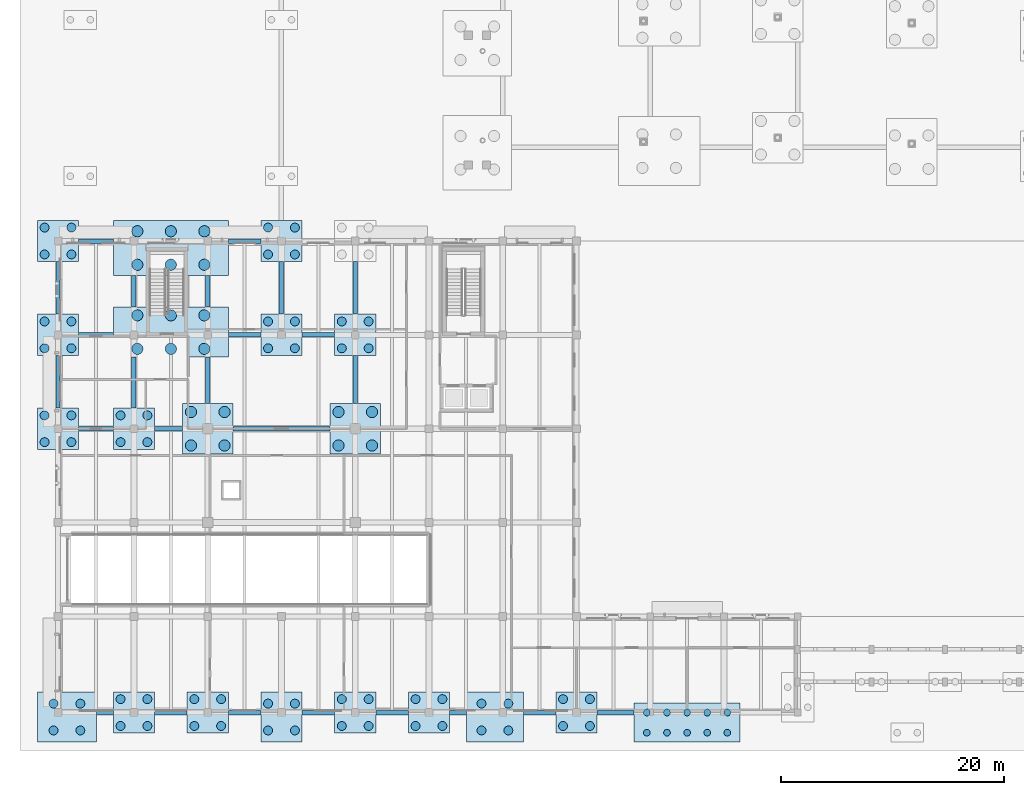
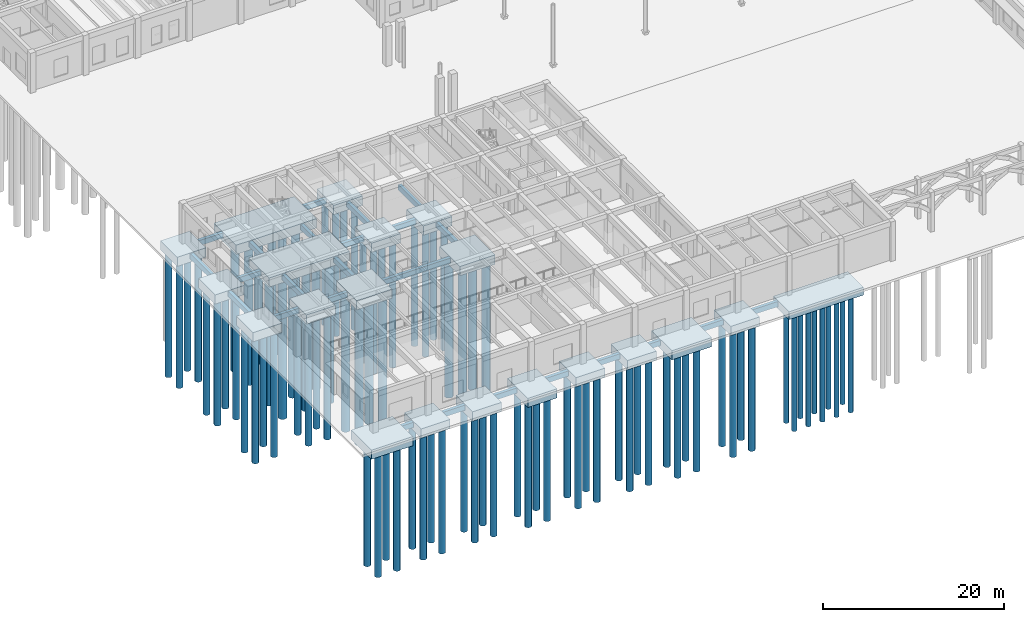
# One storey, part 1 of 82: 90 piles, 45 footings.
"""IFC4 building model written with IfcOpenShell, lengths in metres."""

from ifc_helpers import new_model, si_unit, direction, frame, origin, origin_2d, place, context, subcontext, project, spatial, rectangle, circle, extrude, material, material_profile, profile_set, type_object, element, save


model = new_model("IFC4")

# Units and contexts
model_context = context("Model", 3, precision=1e-05, world=origin(), true_north=direction((0.0, 1.0)))
body_context = subcontext(model_context, "Body", "Model", "MODEL_VIEW")
ifc_project = project(units=[si_unit("LENGTHUNIT", "METRE"), si_unit("AREAUNIT", "SQUARE_METRE"), si_unit("VOLUMEUNIT", "CUBIC_METRE"), si_unit("PLANEANGLEUNIT", "RADIAN"), si_unit("MASSUNIT", "GRAM", prefix="KILO")], contexts=[model_context])

# Site, building, storey
site_placement = place(None, origin())
site = spatial("IfcSite", under=ifc_project, at=site_placement, CompositionType="ELEMENT")
building_placement = place(site_placement, origin())
building = spatial("IfcBuilding", under=site, at=building_placement, Name="Kolvaren Faculty of Natural Sciences", CompositionType="ELEMENT")
storey_placement = place(building_placement, origin())
storey = spatial("IfcBuildingStorey", under=building, at=storey_placement, Name="L00", CompositionType="ELEMENT", Elevation=0.0)

# Piles
ifc_material = material(Name="Concrete C35/45", Category="concrete")
ifc_material_profile_1 = material_profile(ifc_material, circle(Radius=0.5, at=origin_2d()), Name="PILE D1000")
ifc_profile_set_1 = profile_set([ifc_material_profile_1], Name="Concrete C35/45")
pile_type_1 = type_object("IfcPileType", Name="BoredPile_1000", PredefinedType="BORED", material=ifc_profile_set_1)
for number, where, z_axis, x_axis, name in (
    (1, (7.10009765625, 32.550048828125, -1.469970703125), (0.0, 0.0, -1.0), (1.0, 0.0, 0.0), "Rock-socketed bored pile BP-1000 under CAP-095"),
    (2, (7.10009765625, 35.550048828125, -1.469970703125), (0.0, 0.0, -1.0), (1.0, 0.0, 0.0), "Rock-socketed bored pile BP-1000 under CAP-095"),
    (3, (10.10009765625, 32.550048828125, -1.469970703125), (0.0, 0.0, -1.0), (1.0, 0.0, 0.0), "Rock-socketed bored pile BP-1000 under CAP-095"),
    (4, (10.10009765625, 35.550048828125, -1.469970703125), (0.0, 0.0, -1.0), (1.0, 0.0, 0.0), "Rock-socketed bored pile BP-1000 under CAP-095"),
    (5, (13.10009765625, 32.550048828125, -1.469970703125), (0.0, 0.0, -1.0), (1.0, 0.0, 0.0), "Rock-socketed bored pile BP-1000 under CAP-095"),
    (6, (13.10009765625, 35.550048828125, -1.469970703125), (0.0, 0.0, -1.0), (1.0, 0.0, 0.0), "Rock-socketed bored pile BP-1000 under CAP-095"),
    (7, (7.10009765625, 40.074951171875, -1.469970703125), (0.0, 0.0, -1.0), (1.0, 0.0, 0.0), "Rock-socketed bored pile BP-1000 under CAP-096"),
    (8, (7.10009765625, 43.074951171875, -1.469970703125), (0.0, 0.0, -1.0), (1.0, 0.0, 0.0), "Rock-socketed bored pile BP-1000 under CAP-096"),
    (9, (10.10009765625, 40.074951171875, -1.469970703125), (0.0, 0.0, -1.0), (1.0, 0.0, 0.0), "Rock-socketed bored pile BP-1000 under CAP-096"),
    (10, (10.10009765625, 43.074951171875, -1.469970703125), (0.0, 0.0, -1.0), (1.0, 0.0, 0.0), "Rock-socketed bored pile BP-1000 under CAP-096"),
    (11, (13.10009765625, 40.074951171875, -1.469970703125), (0.0, 0.0, -1.0), (1.0, 0.0, 0.0), "Rock-socketed bored pile BP-1000 under CAP-096"),
    (12, (13.10009765625, 43.074951171875, -1.469970703125), (0.0, 0.0, -1.0), (1.0, 0.0, 0.0), "Rock-socketed bored pile BP-1000 under CAP-096"),
    (13, (11.89990234375, 23.89990234375, -1.469970703125), (0.0, 0.0, -1.0), (1.0, 0.0, 0.0), "Rock-socketed bored pile BP-1000 under CAP-101"),
    (14, (11.89990234375, 26.89990234375, -1.469970703125), (0.0, 0.0, -1.0), (1.0, 0.0, 0.0), "Rock-socketed bored pile BP-1000 under CAP-101"),
    (15, (14.89990234375, 23.89990234375, -1.469970703125), (0.0, 0.0, -1.0), (1.0, 0.0, 0.0), "Rock-socketed bored pile BP-1000 under CAP-101"),
    (16, (14.89990234375, 26.89990234375, -1.469970703125), (0.0, 0.0, -1.0), (1.0, 0.0, 0.0), "Rock-socketed bored pile BP-1000 under CAP-101"),
    (17, (25.10009765625, 23.89990234375, -1.469970703125), (0.0, 0.0, -1.0), (1.0, 0.0, 0.0), "Rock-socketed bored pile BP-1000 under CAP-114"),
    (18, (25.10009765625, 26.89990234375, -1.469970703125), (0.0, 0.0, -1.0), (1.0, 0.0, 0.0), "Rock-socketed bored pile BP-1000 under CAP-114"),
    (19, (28.10009765625, 23.89990234375, -1.469970703125), (0.0, 0.0, -1.0), (1.0, 0.0, 0.0), "Rock-socketed bored pile BP-1000 under CAP-114"),
    (20, (28.10009765625, 26.89990234375, -1.469970703125), (0.0, 0.0, -1.0), (1.0, 0.0, 0.0), "Rock-socketed bored pile BP-1000 under CAP-114"),
):
    element("IfcPile", number, at=place(storey_placement, frame(where, z_axis=z_axis, x_axis=x_axis)), inside=storey, type_object=pile_type_1, Name=name, PredefinedType="BORED", context=body_context, shape_type="SweptSolid", body=[
        extrude(circle(Radius=0.5, at=origin_2d()), origin(), (0.0, 0.0, 1.0), 18.830078125),
    ])
ifc_material_profile_2 = material_profile(ifc_material, circle(Radius=0.300048828125, at=origin_2d()), Name="PILE D600")
ifc_profile_set_2 = profile_set([ifc_material_profile_2], Name="Concrete C35/45")
pile_type_2 = type_object("IfcPileType", Name="BoredPile_600", PredefinedType="BORED", material=ifc_profile_set_2)
for number, where, z_axis, x_axis, name in (
    (21, (52.699951171875, -1.800048828125, -1.27001953125), (0.0, 0.0, -1.0), (1.0, 0.0, 0.0), "Rock-socketed bored pile BP-600 under CAP-147"),
    (22, (52.699951171875, 0.0, -1.27001953125), (0.0, 0.0, -1.0), (1.0, 0.0, 0.0), "Rock-socketed bored pile BP-600 under CAP-147"),
    (23, (54.5, -1.800048828125, -1.27001953125), (0.0, 0.0, -1.0), (1.0, 0.0, 0.0), "Rock-socketed bored pile BP-600 under CAP-147"),
    (24, (54.5, 0.0, -1.27001953125), (0.0, 0.0, -1.0), (1.0, 0.0, 0.0), "Rock-socketed bored pile BP-600 under CAP-147"),
    (25, (56.300048828125, -1.800048828125, -1.27001953125), (0.0, 0.0, -1.0), (1.0, 0.0, 0.0), "Rock-socketed bored pile BP-600 under CAP-147"),
    (26, (56.300048828125, 0.0, -1.27001953125), (0.0, 0.0, -1.0), (1.0, 0.0, 0.0), "Rock-socketed bored pile BP-600 under CAP-147"),
    (27, (58.10009765625, -1.800048828125, -1.27001953125), (0.0, 0.0, -1.0), (1.0, 0.0, 0.0), "Rock-socketed bored pile BP-600 under CAP-147"),
    (28, (58.10009765625, 0.0, -1.27001953125), (0.0, 0.0, -1.0), (1.0, 0.0, 0.0), "Rock-socketed bored pile BP-600 under CAP-147"),
    (29, (59.89990234375, -1.800048828125, -1.27001953125), (0.0, 0.0, -1.0), (1.0, 0.0, 0.0), "Rock-socketed bored pile BP-600 under CAP-147"),
    (30, (59.89990234375, 0.0, -1.27001953125), (0.0, 0.0, -1.0), (1.0, 0.0, 0.0), "Rock-socketed bored pile BP-600 under CAP-147"),
):
    element("IfcPile", number, at=place(storey_placement, frame(where, z_axis=z_axis, x_axis=x_axis)), inside=storey, type_object=pile_type_2, Name=name, PredefinedType="BORED", context=body_context, shape_type="SweptSolid", body=[
        extrude(circle(Radius=0.300048828125, at=origin_2d()), origin(), (0.0, 0.0, 1.0), 15.929931640625),
    ])
ifc_material_profile_3 = material_profile(ifc_material, circle(Radius=0.39990234375, at=origin_2d()), Name="PILE D800")
ifc_profile_set_3 = profile_set([ifc_material_profile_3], Name="Concrete C35/45")
pile_type_3 = type_object("IfcPileType", Name="BoredPile_800", PredefinedType="BORED", material=ifc_profile_set_3)
for number, where, z_axis, x_axis, name in (
    (31, (-0.39990234375, -1.60009765625, -1.469970703125), (0.0, 0.0, -1.0), (1.0, 0.0, 0.0), "Rock-socketed bored pile BP-800 under CAP-081"),
    (32, (-0.39990234375, 0.800048828125, -1.469970703125), (0.0, 0.0, -1.0), (1.0, 0.0, 0.0), "Rock-socketed bored pile BP-800 under CAP-081"),
    (33, (2.0, -1.60009765625, -1.469970703125), (0.0, 0.0, -1.0), (1.0, 0.0, 0.0), "Rock-socketed bored pile BP-800 under CAP-081"),
    (34, (2.0, 0.800048828125, -1.469970703125), (0.0, 0.0, -1.0), (1.0, 0.0, 0.0), "Rock-socketed bored pile BP-800 under CAP-081"),
    (35, (-1.199951171875, 24.199951171875, -1.469970703125), (0.0, 0.0, -1.0), (1.0, 0.0, 0.0), "Rock-socketed bored pile BP-800 under CAP-082"),
    (36, (-1.199951171875, 26.60009765625, -1.469970703125), (0.0, 0.0, -1.0), (1.0, 0.0, 0.0), "Rock-socketed bored pile BP-800 under CAP-082"),
    (37, (1.199951171875, 24.199951171875, -1.469970703125), (0.0, 0.0, -1.0), (1.0, 0.0, 0.0), "Rock-socketed bored pile BP-800 under CAP-082"),
    (38, (1.199951171875, 26.60009765625, -1.469970703125), (0.0, 0.0, -1.0), (1.0, 0.0, 0.0), "Rock-socketed bored pile BP-800 under CAP-082"),
    (39, (-1.199951171875, 32.60009765625, -1.469970703125), (0.0, 0.0, -1.0), (1.0, 0.0, 0.0), "Rock-socketed bored pile BP-800 under CAP-083"),
    (40, (-1.199951171875, 35.0, -1.469970703125), (0.0, 0.0, -1.0), (1.0, 0.0, 0.0), "Rock-socketed bored pile BP-800 under CAP-083"),
    (41, (1.199951171875, 32.60009765625, -1.469970703125), (0.0, 0.0, -1.0), (1.0, 0.0, 0.0), "Rock-socketed bored pile BP-800 under CAP-083"),
    (42, (1.199951171875, 35.0, -1.469970703125), (0.0, 0.0, -1.0), (1.0, 0.0, 0.0), "Rock-socketed bored pile BP-800 under CAP-083"),
    (43, (-1.199951171875, 41.0, -1.469970703125), (0.0, 0.0, -1.0), (1.0, 0.0, 0.0), "Rock-socketed bored pile BP-800 under CAP-084"),
    (44, (-1.199951171875, 43.39990234375, -1.469970703125), (0.0, 0.0, -1.0), (1.0, 0.0, 0.0), "Rock-socketed bored pile BP-800 under CAP-084"),
    (45, (1.199951171875, 41.0, -1.469970703125), (0.0, 0.0, -1.0), (1.0, 0.0, 0.0), "Rock-socketed bored pile BP-800 under CAP-084"),
    (46, (1.199951171875, 43.39990234375, -1.469970703125), (0.0, 0.0, -1.0), (1.0, 0.0, 0.0), "Rock-socketed bored pile BP-800 under CAP-084"),
    (47, (5.60009765625, -1.199951171875, -1.469970703125), (0.0, 0.0, -1.0), (1.0, 0.0, 0.0), "Rock-socketed bored pile BP-800 under CAP-093"),
    (48, (5.60009765625, 1.199951171875, -1.469970703125), (0.0, 0.0, -1.0), (1.0, 0.0, 0.0), "Rock-socketed bored pile BP-800 under CAP-093"),
    (49, (8.0, -1.199951171875, -1.469970703125), (0.0, 0.0, -1.0), (1.0, 0.0, 0.0), "Rock-socketed bored pile BP-800 under CAP-093"),
    (50, (8.0, 1.199951171875, -1.469970703125), (0.0, 0.0, -1.0), (1.0, 0.0, 0.0), "Rock-socketed bored pile BP-800 under CAP-093"),
    (51, (5.60009765625, 24.199951171875, -1.469970703125), (0.0, 0.0, -1.0), (1.0, 0.0, 0.0), "Rock-socketed bored pile BP-800 under CAP-094"),
    (52, (5.60009765625, 26.60009765625, -1.469970703125), (0.0, 0.0, -1.0), (1.0, 0.0, 0.0), "Rock-socketed bored pile BP-800 under CAP-094"),
    (53, (8.0, 24.199951171875, -1.469970703125), (0.0, 0.0, -1.0), (1.0, 0.0, 0.0), "Rock-socketed bored pile BP-800 under CAP-094"),
    (54, (8.0, 26.60009765625, -1.469970703125), (0.0, 0.0, -1.0), (1.0, 0.0, 0.0), "Rock-socketed bored pile BP-800 under CAP-094"),
    (55, (12.199951171875, -1.199951171875, -1.469970703125), (0.0, 0.0, -1.0), (1.0, 0.0, 0.0), "Rock-socketed bored pile BP-800 under CAP-102"),
    (56, (12.199951171875, 1.199951171875, -1.469970703125), (0.0, 0.0, -1.0), (1.0, 0.0, 0.0), "Rock-socketed bored pile BP-800 under CAP-102"),
    (57, (14.60009765625, -1.199951171875, -1.469970703125), (0.0, 0.0, -1.0), (1.0, 0.0, 0.0), "Rock-socketed bored pile BP-800 under CAP-102"),
    (58, (14.60009765625, 1.199951171875, -1.469970703125), (0.0, 0.0, -1.0), (1.0, 0.0, 0.0), "Rock-socketed bored pile BP-800 under CAP-102"),
    (59, (18.800048828125, -1.60009765625, -1.469970703125), (0.0, 0.0, -1.0), (1.0, 0.0, 0.0), "Rock-socketed bored pile BP-800 under CAP-104"),
    (60, (18.800048828125, 0.800048828125, -1.469970703125), (0.0, 0.0, -1.0), (1.0, 0.0, 0.0), "Rock-socketed bored pile BP-800 under CAP-104"),
    (61, (21.199951171875, -1.60009765625, -1.469970703125), (0.0, 0.0, -1.0), (1.0, 0.0, 0.0), "Rock-socketed bored pile BP-800 under CAP-104"),
    (62, (21.199951171875, 0.800048828125, -1.469970703125), (0.0, 0.0, -1.0), (1.0, 0.0, 0.0), "Rock-socketed bored pile BP-800 under CAP-104"),
    (63, (18.800048828125, 32.60009765625, -1.469970703125), (0.0, 0.0, -1.0), (1.0, 0.0, 0.0), "Rock-socketed bored pile BP-800 under CAP-105"),
    (64, (18.800048828125, 35.0, -1.469970703125), (0.0, 0.0, -1.0), (1.0, 0.0, 0.0), "Rock-socketed bored pile BP-800 under CAP-105"),
    (65, (21.199951171875, 32.60009765625, -1.469970703125), (0.0, 0.0, -1.0), (1.0, 0.0, 0.0), "Rock-socketed bored pile BP-800 under CAP-105"),
    (66, (21.199951171875, 35.0, -1.469970703125), (0.0, 0.0, -1.0), (1.0, 0.0, 0.0), "Rock-socketed bored pile BP-800 under CAP-105"),
    (67, (18.800048828125, 41.0, -1.469970703125), (0.0, 0.0, -1.0), (1.0, 0.0, 0.0), "Rock-socketed bored pile BP-800 under CAP-106"),
    (68, (18.800048828125, 43.39990234375, -1.469970703125), (0.0, 0.0, -1.0), (1.0, 0.0, 0.0), "Rock-socketed bored pile BP-800 under CAP-106"),
    (69, (21.199951171875, 41.0, -1.469970703125), (0.0, 0.0, -1.0), (1.0, 0.0, 0.0), "Rock-socketed bored pile BP-800 under CAP-106"),
    (70, (21.199951171875, 43.39990234375, -1.469970703125), (0.0, 0.0, -1.0), (1.0, 0.0, 0.0), "Rock-socketed bored pile BP-800 under CAP-106"),
    (71, (25.39990234375, -1.199951171875, -1.469970703125), (0.0, 0.0, -1.0), (1.0, 0.0, 0.0), "Rock-socketed bored pile BP-800 under CAP-115"),
    (72, (25.39990234375, 1.199951171875, -1.469970703125), (0.0, 0.0, -1.0), (1.0, 0.0, 0.0), "Rock-socketed bored pile BP-800 under CAP-115"),
    (73, (27.800048828125, -1.199951171875, -1.469970703125), (0.0, 0.0, -1.0), (1.0, 0.0, 0.0), "Rock-socketed bored pile BP-800 under CAP-115"),
    (74, (27.800048828125, 1.199951171875, -1.469970703125), (0.0, 0.0, -1.0), (1.0, 0.0, 0.0), "Rock-socketed bored pile BP-800 under CAP-115"),
    (75, (25.39990234375, 32.60009765625, -1.469970703125), (0.0, 0.0, -1.0), (1.0, 0.0, 0.0), "Rock-socketed bored pile BP-800 under CAP-116"),
    (76, (25.39990234375, 35.0, -1.469970703125), (0.0, 0.0, -1.0), (1.0, 0.0, 0.0), "Rock-socketed bored pile BP-800 under CAP-116"),
    (77, (27.800048828125, 32.60009765625, -1.469970703125), (0.0, 0.0, -1.0), (1.0, 0.0, 0.0), "Rock-socketed bored pile BP-800 under CAP-116"),
    (78, (27.800048828125, 35.0, -1.469970703125), (0.0, 0.0, -1.0), (1.0, 0.0, 0.0), "Rock-socketed bored pile BP-800 under CAP-116"),
    (79, (32.0, -1.199951171875, -1.469970703125), (0.0, 0.0, -1.0), (1.0, 0.0, 0.0), "Rock-socketed bored pile BP-800 under CAP-120"),
    (80, (32.0, 1.199951171875, -1.469970703125), (0.0, 0.0, -1.0), (1.0, 0.0, 0.0), "Rock-socketed bored pile BP-800 under CAP-120"),
    (81, (34.39990234375, -1.199951171875, -1.469970703125), (0.0, 0.0, -1.0), (1.0, 0.0, 0.0), "Rock-socketed bored pile BP-800 under CAP-120"),
    (82, (34.39990234375, 1.199951171875, -1.469970703125), (0.0, 0.0, -1.0), (1.0, 0.0, 0.0), "Rock-socketed bored pile BP-800 under CAP-120"),
    (83, (37.89990234375, -1.60009765625, -1.469970703125), (0.0, 0.0, -1.0), (1.0, 0.0, 0.0), "Rock-socketed bored pile BP-800 under CAP-129"),
    (84, (37.89990234375, 0.800048828125, -1.469970703125), (0.0, 0.0, -1.0), (1.0, 0.0, 0.0), "Rock-socketed bored pile BP-800 under CAP-129"),
    (85, (40.300048828125, -1.60009765625, -1.469970703125), (0.0, 0.0, -1.0), (1.0, 0.0, 0.0), "Rock-socketed bored pile BP-800 under CAP-129"),
    (86, (40.300048828125, 0.800048828125, -1.469970703125), (0.0, 0.0, -1.0), (1.0, 0.0, 0.0), "Rock-socketed bored pile BP-800 under CAP-129"),
    (87, (45.199951171875, -1.199951171875, -1.469970703125), (0.0, 0.0, -1.0), (1.0, 0.0, 0.0), "Rock-socketed bored pile BP-800 under CAP-137"),
    (88, (45.199951171875, 1.199951171875, -1.469970703125), (0.0, 0.0, -1.0), (1.0, 0.0, 0.0), "Rock-socketed bored pile BP-800 under CAP-137"),
    (89, (47.60009765625, -1.199951171875, -1.469970703125), (0.0, 0.0, -1.0), (1.0, 0.0, 0.0), "Rock-socketed bored pile BP-800 under CAP-137"),
    (90, (47.60009765625, 1.199951171875, -1.469970703125), (0.0, 0.0, -1.0), (1.0, 0.0, 0.0), "Rock-socketed bored pile BP-800 under CAP-137"),
):
    element("IfcPile", number, at=place(storey_placement, frame(where, z_axis=z_axis, x_axis=x_axis)), inside=storey, type_object=pile_type_3, Name=name, PredefinedType="BORED", context=body_context, shape_type="SweptSolid", body=[
        extrude(circle(Radius=0.39990234375, at=origin_2d()), origin(), (0.0, 0.0, 1.0), 16.929931640625),
    ])

# Footings
ifc_material_profile_4 = material_profile(ifc_material, rectangle(XDim=0.39990234375, YDim=0.699951171875, at=origin_2d()), Name="RC FB 400x700")
ifc_profile_set_4 = profile_set([ifc_material_profile_4], Name="Concrete C35/45")
footing_type_1 = type_object("IfcFootingType", Name="FootingTieBeam_400x700", PredefinedType="FOOTING_BEAM", material=ifc_profile_set_4)
footing_1_placement = place(storey_placement, frame((3.449951171875, 0.0, -0.75), z_axis=(1.0, 0.0, 0.0), x_axis=(0.0, 1.0, 0.0)))
element("IfcFooting", 91, at=footing_1_placement, inside=storey, type_object=footing_type_1, Name="L00 orthogonal foundation tie beam FB-01", PredefinedType="FOOTING_BEAM", context=body_context, shape_type="SweptSolid", body=[
    extrude(rectangle(XDim=0.39990234375, YDim=0.699951171875, at=origin_2d()), origin(), (0.0, 0.0, 1.0), 1.5),
])
footing_2_placement = place(storey_placement, frame((8.64990234375, 0.0, -0.75), z_axis=(1.0, 0.0, 0.0), x_axis=(0.0, 1.0, 0.0)))
element("IfcFooting", 92, at=footing_2_placement, inside=storey, type_object=footing_type_1, Name="L00 orthogonal foundation tie beam FB-01", PredefinedType="FOOTING_BEAM", context=body_context, shape_type="SweptSolid", body=[
    extrude(rectangle(XDim=0.39990234375, YDim=0.699951171875, at=origin_2d()), origin(), (0.0, 0.0, 1.0), 2.900146484375),
])
for number, where, z_axis, x_axis, name in (
    (93, (15.25, 0.0, -0.75), (1.0, 0.0, 0.0), (0.0, 1.0, 0.0), "L00 orthogonal foundation tie beam FB-01"),
    (94, (21.85009765625, 0.0, -0.75), (1.0, 0.0, 0.0), (0.0, 1.0, 0.0), "L00 orthogonal foundation tie beam FB-01"),
):
    element("IfcFooting", number, at=place(storey_placement, frame(where, z_axis=z_axis, x_axis=x_axis)), inside=storey, type_object=footing_type_1, Name=name, PredefinedType="FOOTING_BEAM", context=body_context, shape_type="SweptSolid", body=[
        extrude(rectangle(XDim=0.39990234375, YDim=0.699951171875, at=origin_2d()), origin(), (0.0, 0.0, 1.0), 2.89990234375),
    ])
footing_3_placement = place(storey_placement, frame((28.449951171875, 0.0, -0.75), z_axis=(1.0, 0.0, 0.0), x_axis=(0.0, 1.0, 0.0)))
element("IfcFooting", 95, at=footing_3_placement, inside=storey, type_object=footing_type_1, Name="L00 orthogonal foundation tie beam FB-01", PredefinedType="FOOTING_BEAM", context=body_context, shape_type="SweptSolid", body=[
    extrude(rectangle(XDim=0.39990234375, YDim=0.699951171875, at=origin_2d()), origin(), (0.0, 0.0, 1.0), 2.900146484375),
])
footing_4_placement = place(storey_placement, frame((35.050048828125, 0.0, -0.75), z_axis=(1.0, 0.0, 0.0), x_axis=(0.0, 1.0, 0.0)))
element("IfcFooting", 96, at=footing_4_placement, inside=storey, type_object=footing_type_1, Name="L00 orthogonal foundation tie beam FB-01", PredefinedType="FOOTING_BEAM", context=body_context, shape_type="SweptSolid", body=[
    extrude(rectangle(XDim=0.39990234375, YDim=0.699951171875, at=origin_2d()), origin(), (0.0, 0.0, 1.0), 1.5),
])
footing_5_placement = place(storey_placement, frame((41.64990234375, 0.0, -0.75), z_axis=(1.0, 0.0, 0.0), x_axis=(0.0, 1.0, 0.0)))
element("IfcFooting", 97, at=footing_5_placement, inside=storey, type_object=footing_type_1, Name="L00 orthogonal foundation tie beam FB-01", PredefinedType="FOOTING_BEAM", context=body_context, shape_type="SweptSolid", body=[
    extrude(rectangle(XDim=0.39990234375, YDim=0.699951171875, at=origin_2d()), origin(), (0.0, 0.0, 1.0), 2.900146484375),
])
footing_6_placement = place(storey_placement, frame((48.25, 0.0, -0.75), z_axis=(1.0, 0.0, 0.0), x_axis=(0.0, 1.0, 0.0)))
element("IfcFooting", 98, at=footing_6_placement, inside=storey, type_object=footing_type_1, Name="L00 orthogonal foundation tie beam FB-01", PredefinedType="FOOTING_BEAM", context=body_context, shape_type="SweptSolid", body=[
    extrude(rectangle(XDim=0.39990234375, YDim=0.699951171875, at=origin_2d()), origin(), (0.0, 0.0, 1.0), 3.300048828125),
])
footing_7_placement = place(storey_placement, frame((1.85009765625, 25.39990234375, -0.75), z_axis=(1.0, 0.0, 0.0), x_axis=(0.0, 1.0, 0.0)))
element("IfcFooting", 99, at=footing_7_placement, inside=storey, type_object=footing_type_1, Name="L00 orthogonal foundation tie beam FB-01", PredefinedType="FOOTING_BEAM", context=body_context, shape_type="SweptSolid", body=[
    extrude(rectangle(XDim=0.39990234375, YDim=0.699951171875, at=origin_2d()), origin(), (0.0, 0.0, 1.0), 3.099853515625),
])
footing_8_placement = place(storey_placement, frame((8.64990234375, 25.39990234375, -0.75), z_axis=(1.0, 0.0, 0.0), x_axis=(0.0, 1.0, 0.0)))
element("IfcFooting", 100, at=footing_8_placement, inside=storey, type_object=footing_type_1, Name="L00 orthogonal foundation tie beam FB-01", PredefinedType="FOOTING_BEAM", context=body_context, shape_type="SweptSolid", body=[
    extrude(rectangle(XDim=0.39990234375, YDim=0.699951171875, at=origin_2d()), origin(), (0.0, 0.0, 1.0), 2.5),
])
footing_9_placement = place(storey_placement, frame((15.64990234375, 25.39990234375, -0.75), z_axis=(1.0, 0.0, 0.0), x_axis=(0.0, 1.0, 0.0)))
element("IfcFooting", 101, at=footing_9_placement, inside=storey, type_object=footing_type_1, Name="L00 orthogonal foundation tie beam FB-01", PredefinedType="FOOTING_BEAM", context=body_context, shape_type="SweptSolid", body=[
    extrude(rectangle(XDim=0.39990234375, YDim=0.699951171875, at=origin_2d()), origin(), (0.0, 0.0, 1.0), 8.7001953125),
])
footing_10_placement = place(storey_placement, frame((1.85009765625, 33.800048828125, -0.75), z_axis=(1.0, 0.0, 0.0), x_axis=(0.0, 1.0, 0.0)))
element("IfcFooting", 102, at=footing_10_placement, inside=storey, type_object=footing_type_1, Name="L00 orthogonal foundation tie beam FB-01", PredefinedType="FOOTING_BEAM", context=body_context, shape_type="SweptSolid", body=[
    extrude(rectangle(XDim=0.39990234375, YDim=0.699951171875, at=origin_2d()), origin(), (0.0, 0.0, 1.0), 3.099853515625),
])
for number, where, z_axis, x_axis, name in (
    (103, (15.25, 33.800048828125, -0.75), (1.0, 0.0, 0.0), (0.0, 1.0, 0.0), "L00 orthogonal foundation tie beam FB-01"),
    (104, (21.85009765625, 33.800048828125, -0.75), (1.0, 0.0, 0.0), (0.0, 1.0, 0.0), "L00 orthogonal foundation tie beam FB-01"),
):
    element("IfcFooting", number, at=place(storey_placement, frame(where, z_axis=z_axis, x_axis=x_axis)), inside=storey, type_object=footing_type_1, Name=name, PredefinedType="FOOTING_BEAM", context=body_context, shape_type="SweptSolid", body=[
        extrude(rectangle(XDim=0.39990234375, YDim=0.699951171875, at=origin_2d()), origin(), (0.0, 0.0, 1.0), 2.89990234375),
    ])
footing_11_placement = place(storey_placement, frame((1.85009765625, 42.199951171875, -0.75), z_axis=(1.0, 0.0, 0.0), x_axis=(0.0, 1.0, 0.0)))
element("IfcFooting", 105, at=footing_11_placement, inside=storey, type_object=footing_type_1, Name="L00 orthogonal foundation tie beam FB-01", PredefinedType="FOOTING_BEAM", context=body_context, shape_type="SweptSolid", body=[
    extrude(rectangle(XDim=0.39990234375, YDim=0.699951171875, at=origin_2d()), origin(), (0.0, 0.0, 1.0), 3.099853515625),
])
footing_12_placement = place(storey_placement, frame((15.25, 42.199951171875, -0.75), z_axis=(1.0, 0.0, 0.0), x_axis=(0.0, 1.0, 0.0)))
element("IfcFooting", 106, at=footing_12_placement, inside=storey, type_object=footing_type_1, Name="L00 orthogonal foundation tie beam FB-01", PredefinedType="FOOTING_BEAM", context=body_context, shape_type="SweptSolid", body=[
    extrude(rectangle(XDim=0.39990234375, YDim=0.699951171875, at=origin_2d()), origin(), (0.0, 0.0, 1.0), 2.89990234375),
])
footing_13_placement = place(storey_placement, frame((0.0, 27.25, -0.75), z_axis=(0.0, 1.0, 0.0), x_axis=(-1.0, 0.0, 0.0)))
element("IfcFooting", 107, at=footing_13_placement, inside=storey, type_object=footing_type_1, Name="L00 orthogonal foundation tie beam FB-01", PredefinedType="FOOTING_BEAM", context=body_context, shape_type="SweptSolid", body=[
    extrude(rectangle(XDim=0.39990234375, YDim=0.699951171875, at=origin_2d()), origin(), (0.0, 0.0, 1.0), 4.699951171875),
])
footing_14_placement = place(storey_placement, frame((0.0, 35.64990234375, -0.75), z_axis=(0.0, 1.0, 0.0), x_axis=(-1.0, 0.0, 0.0)))
element("IfcFooting", 108, at=footing_14_placement, inside=storey, type_object=footing_type_1, Name="L00 orthogonal foundation tie beam FB-01", PredefinedType="FOOTING_BEAM", context=body_context, shape_type="SweptSolid", body=[
    extrude(rectangle(XDim=0.39990234375, YDim=0.699951171875, at=origin_2d()), origin(), (0.0, 0.0, 1.0), 4.7001953125),
])
footing_15_placement = place(storey_placement, frame((6.800048828125, 27.25, -0.75), z_axis=(0.0, 1.0, 0.0), x_axis=(-1.0, 0.0, 0.0)))
element("IfcFooting", 109, at=footing_15_placement, inside=storey, type_object=footing_type_1, Name="L00 orthogonal foundation tie beam FB-01", PredefinedType="FOOTING_BEAM", context=body_context, shape_type="SweptSolid", body=[
    extrude(rectangle(XDim=0.39990234375, YDim=0.699951171875, at=origin_2d()), origin(), (0.0, 0.0, 1.0), 4.550048828125),
])
footing_16_placement = place(storey_placement, frame((6.800048828125, 36.300048828125, -0.75), z_axis=(0.0, 1.0, 0.0), x_axis=(-1.0, 0.0, 0.0)))
element("IfcFooting", 110, at=footing_16_placement, inside=storey, type_object=footing_type_1, Name="L00 orthogonal foundation tie beam FB-01", PredefinedType="FOOTING_BEAM", context=body_context, shape_type="SweptSolid", body=[
    extrude(rectangle(XDim=0.39990234375, YDim=0.699951171875, at=origin_2d()), origin(), (0.0, 0.0, 1.0), 2.800048828125),
])
footing_17_placement = place(storey_placement, frame((13.39990234375, 27.64990234375, -0.75), z_axis=(0.0, 1.0, 0.0), x_axis=(-1.0, 0.0, 0.0)))
element("IfcFooting", 111, at=footing_17_placement, inside=storey, type_object=footing_type_1, Name="L00 orthogonal foundation tie beam FB-01", PredefinedType="FOOTING_BEAM", context=body_context, shape_type="SweptSolid", body=[
    extrude(rectangle(XDim=0.39990234375, YDim=0.699951171875, at=origin_2d()), origin(), (0.0, 0.0, 1.0), 4.150146484375),
])
footing_18_placement = place(storey_placement, frame((13.39990234375, 36.300048828125, -0.75), z_axis=(0.0, 1.0, 0.0), x_axis=(-1.0, 0.0, 0.0)))
element("IfcFooting", 112, at=footing_18_placement, inside=storey, type_object=footing_type_1, Name="L00 orthogonal foundation tie beam FB-01", PredefinedType="FOOTING_BEAM", context=body_context, shape_type="SweptSolid", body=[
    extrude(rectangle(XDim=0.39990234375, YDim=0.699951171875, at=origin_2d()), origin(), (0.0, 0.0, 1.0), 2.800048828125),
])
footing_19_placement = place(storey_placement, frame((20.0, 35.64990234375, -0.75), z_axis=(0.0, 1.0, 0.0), x_axis=(-1.0, 0.0, 0.0)))
element("IfcFooting", 113, at=footing_19_placement, inside=storey, type_object=footing_type_1, Name="L00 orthogonal foundation tie beam FB-01", PredefinedType="FOOTING_BEAM", context=body_context, shape_type="SweptSolid", body=[
    extrude(rectangle(XDim=0.39990234375, YDim=0.699951171875, at=origin_2d()), origin(), (0.0, 0.0, 1.0), 4.7001953125),
])
footing_20_placement = place(storey_placement, frame((26.60009765625, 27.64990234375, -0.75), z_axis=(0.0, 1.0, 0.0), x_axis=(-1.0, 0.0, 0.0)))
element("IfcFooting", 114, at=footing_20_placement, inside=storey, type_object=footing_type_1, Name="L00 orthogonal foundation tie beam FB-01", PredefinedType="FOOTING_BEAM", context=body_context, shape_type="SweptSolid", body=[
    extrude(rectangle(XDim=0.39990234375, YDim=0.699951171875, at=origin_2d()), origin(), (0.0, 0.0, 1.0), 4.300048828125),
])
footing_21_placement = place(storey_placement, frame((26.60009765625, 35.64990234375, -0.75), z_axis=(0.0, 1.0, 0.0), x_axis=(-1.0, 0.0, 0.0)))
element("IfcFooting", 115, at=footing_21_placement, inside=storey, type_object=footing_type_1, Name="L00 orthogonal foundation tie beam FB-01", PredefinedType="FOOTING_BEAM", context=body_context, shape_type="SweptSolid", body=[
    extrude(rectangle(XDim=0.39990234375, YDim=0.699951171875, at=origin_2d()), origin(), (0.0, 0.0, 1.0), 4.7001953125),
])
footing_type_2 = type_object("IfcFootingType", Name="PileCap_10300x4500x1250", PredefinedType="PILE_CAP", material=ifc_material)
footing_22_placement = place(storey_placement, frame((10.10009765625, 34.050048828125, -1.570068359375), z_axis=(0.0, 0.0, 1.0), x_axis=(1.0, 0.0, 0.0)))
element("IfcFooting", 116, at=footing_22_placement, inside=storey, type_object=footing_type_2, Name="L00 reinforced concrete pile cap PC-20 (CAP-095)", PredefinedType="PILE_CAP", context=body_context, shape_type="SweptSolid", body=[
    extrude(rectangle(XDim=10.300048828125, YDim=4.5, at=origin_2d()), origin(), (0.0, 0.0, 1.0), 1.25),
])
footing_type_3 = type_object("IfcFootingType", Name="PileCap_10300x4950x1250", PredefinedType="PILE_CAP", material=ifc_material)
footing_23_placement = place(storey_placement, frame((10.10009765625, 41.574951171875, -1.570068359375), z_axis=(0.0, 0.0, 1.0), x_axis=(1.0, 0.0, 0.0)))
element("IfcFooting", 117, at=footing_23_placement, inside=storey, type_object=footing_type_3, Name="L00 reinforced concrete pile cap PC-21 (CAP-096)", PredefinedType="PILE_CAP", context=body_context, shape_type="SweptSolid", body=[
    extrude(rectangle(XDim=10.300048828125, YDim=4.949951171875, at=origin_2d()), origin(), (0.0, 0.0, 1.0), 1.25),
])
footing_type_4 = type_object("IfcFootingType", Name="PileCap_3700x3700x1250", PredefinedType="PILE_CAP", material=ifc_material)
for number, where, z_axis, x_axis, name in (
    (118, (0.0, 25.39990234375, -1.570068359375), (0.0, 0.0, 1.0), (1.0, 0.0, 0.0), "L00 reinforced concrete pile cap PC-16 (CAP-082)"),
    (119, (0.0, 33.800048828125, -1.570068359375), (0.0, 0.0, 1.0), (1.0, 0.0, 0.0), "L00 reinforced concrete pile cap PC-16 (CAP-083)"),
    (120, (0.0, 42.199951171875, -1.570068359375), (0.0, 0.0, 1.0), (1.0, 0.0, 0.0), "L00 reinforced concrete pile cap PC-16 (CAP-084)"),
    (121, (6.800048828125, 0.0, -1.570068359375), (0.0, 0.0, 1.0), (1.0, 0.0, 0.0), "L00 reinforced concrete pile cap PC-16 (CAP-093)"),
    (122, (6.800048828125, 25.39990234375, -1.570068359375), (0.0, 0.0, 1.0), (1.0, 0.0, 0.0), "L00 reinforced concrete pile cap PC-16 (CAP-094)"),
    (123, (13.39990234375, 0.0, -1.570068359375), (0.0, 0.0, 1.0), (1.0, 0.0, 0.0), "L00 reinforced concrete pile cap PC-16 (CAP-102)"),
    (124, (20.0, 33.800048828125, -1.570068359375), (0.0, 0.0, 1.0), (1.0, 0.0, 0.0), "L00 reinforced concrete pile cap PC-16 (CAP-105)"),
    (125, (20.0, 42.199951171875, -1.570068359375), (0.0, 0.0, 1.0), (1.0, 0.0, 0.0), "L00 reinforced concrete pile cap PC-16 (CAP-106)"),
    (126, (26.60009765625, 0.0, -1.570068359375), (0.0, 0.0, 1.0), (1.0, 0.0, 0.0), "L00 reinforced concrete pile cap PC-16 (CAP-115)"),
    (127, (26.60009765625, 33.800048828125, -1.570068359375), (0.0, 0.0, 1.0), (1.0, 0.0, 0.0), "L00 reinforced concrete pile cap PC-16 (CAP-116)"),
    (128, (33.199951171875, 0.0, -1.570068359375), (0.0, 0.0, 1.0), (1.0, 0.0, 0.0), "L00 reinforced concrete pile cap PC-16 (CAP-120)"),
    (129, (46.39990234375, 0.0, -1.570068359375), (0.0, 0.0, 1.0), (1.0, 0.0, 0.0), "L00 reinforced concrete pile cap PC-16 (CAP-137)"),
):
    element("IfcFooting", number, at=place(storey_placement, frame(where, z_axis=z_axis, x_axis=x_axis)), inside=storey, type_object=footing_type_4, Name=name, PredefinedType="PILE_CAP", context=body_context, shape_type="SweptSolid", body=[
        extrude(rectangle(XDim=3.699951171875, YDim=3.699951171875, at=origin_2d()), origin(), (0.0, 0.0, 1.0), 1.25),
    ])
footing_type_5 = type_object("IfcFootingType", Name="PileCap_3700x4500x1250", PredefinedType="PILE_CAP", material=ifc_material)
footing_24_placement = place(storey_placement, frame((20.0, -0.39990234375, -1.570068359375), z_axis=(0.0, 0.0, 1.0), x_axis=(1.0, 0.0, 0.0)))
element("IfcFooting", 130, at=footing_24_placement, inside=storey, type_object=footing_type_5, Name="L00 reinforced concrete pile cap PC-24 (CAP-104)", PredefinedType="PILE_CAP", context=body_context, shape_type="SweptSolid", body=[
    extrude(rectangle(XDim=3.699951171875, YDim=4.5, at=origin_2d()), origin(), (0.0, 0.0, 1.0), 1.25),
])
footing_type_6 = type_object("IfcFootingType", Name="PileCap_4500x4500x1250", PredefinedType="PILE_CAP", material=ifc_material)
for number, where, z_axis, x_axis, name in (
    (131, (13.39990234375, 25.39990234375, -1.570068359375), (0.0, 0.0, 1.0), (1.0, 0.0, 0.0), "L00 reinforced concrete pile cap PC-23 (CAP-101)"),
    (132, (26.60009765625, 25.39990234375, -1.570068359375), (0.0, 0.0, 1.0), (1.0, 0.0, 0.0), "L00 reinforced concrete pile cap PC-23 (CAP-114)"),
):
    element("IfcFooting", number, at=place(storey_placement, frame(where, z_axis=z_axis, x_axis=x_axis)), inside=storey, type_object=footing_type_6, Name=name, PredefinedType="PILE_CAP", context=body_context, shape_type="SweptSolid", body=[
        extrude(rectangle(XDim=4.5, YDim=4.5, at=origin_2d()), origin(), (0.0, 0.0, 1.0), 1.25),
    ])
footing_type_7 = type_object("IfcFootingType", Name="PileCap_5100x4500x1250", PredefinedType="PILE_CAP", material=ifc_material)
footing_25_placement = place(storey_placement, frame((39.10009765625, -0.39990234375, -1.570068359375), z_axis=(0.0, 0.0, 1.0), x_axis=(1.0, 0.0, 0.0)))
element("IfcFooting", 133, at=footing_25_placement, inside=storey, type_object=footing_type_7, Name="L00 reinforced concrete pile cap PC-27 (CAP-129)", PredefinedType="PILE_CAP", context=body_context, shape_type="SweptSolid", body=[
    extrude(rectangle(XDim=5.10009765625, YDim=4.5, at=origin_2d()), origin(), (0.0, 0.0, 1.0), 1.25),
])
footing_type_8 = type_object("IfcFootingType", Name="PileCap_5300x4500x1250", PredefinedType="PILE_CAP", material=ifc_material)
footing_26_placement = place(storey_placement, frame((0.800048828125, -0.39990234375, -1.570068359375), z_axis=(0.0, 0.0, 1.0), x_axis=(1.0, 0.0, 0.0)))
element("IfcFooting", 134, at=footing_26_placement, inside=storey, type_object=footing_type_8, Name="L00 reinforced concrete pile cap PC-15 (CAP-081)", PredefinedType="PILE_CAP", context=body_context, shape_type="SweptSolid", body=[
    extrude(rectangle(XDim=5.300048828125, YDim=4.5, at=origin_2d()), origin(), (0.0, 0.0, 1.0), 1.25),
])
footing_type_9 = type_object("IfcFootingType", Name="PileCap_9500x3500x1050", PredefinedType="PILE_CAP", material=ifc_material)
footing_27_placement = place(storey_placement, frame((56.300048828125, -0.89990234375, -1.3701171875), z_axis=(0.0, 0.0, 1.0), x_axis=(1.0, 0.0, 0.0)))
element("IfcFooting", 135, at=footing_27_placement, inside=storey, type_object=footing_type_9, Name="L00 reinforced concrete pile cap PC-32 (CAP-147)", PredefinedType="PILE_CAP", context=body_context, shape_type="SweptSolid", body=[
    extrude(rectangle(XDim=9.5, YDim=3.5, at=origin_2d()), origin(), (0.0, 0.0, 1.0), 1.050048828125),
])

save(model, "model.ifc")
